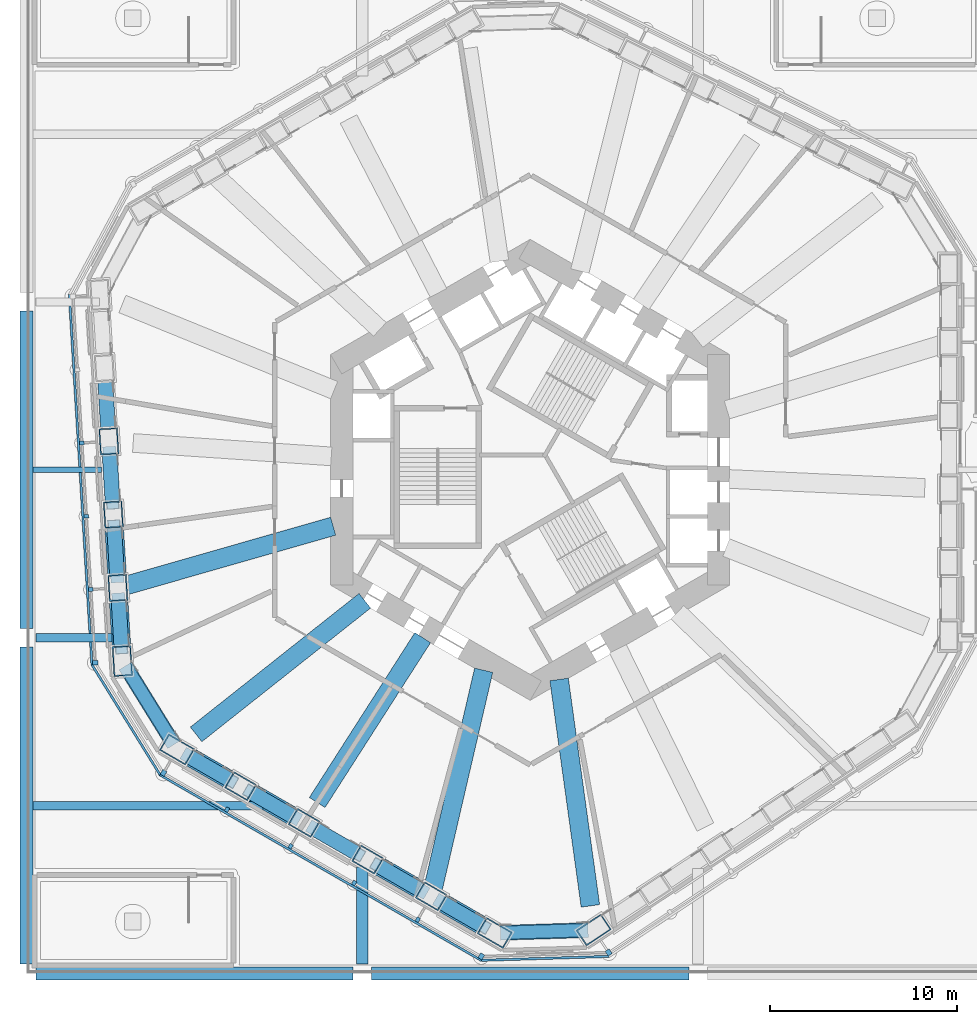
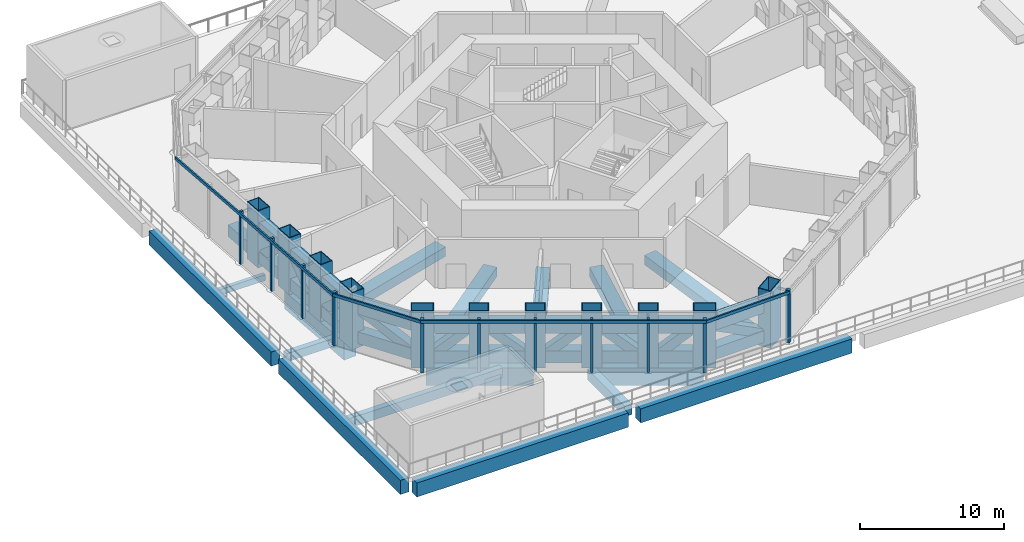
# One storey, part 1 of 20: 57 members, 16 beams, 5 elements without a shape of their own.
"""IFC4 building model written with IfcOpenShell, lengths in metres."""

import ifcopenshell
import ifcopenshell.guid

model = None  # the IFC model being written
_history = None  # IfcOwnerHistory: only IFC2X3 demands one
_inside = {}  # id of a spatial element -> (the spatial element, [elements in it])
_under = {}  # id of a project, library or spatial element -> (it, [spatial elements below it])
_declared = {}  # id of a project -> (the project, [libraries it declares])
_typed = {}  # id of a type object -> (the type object, [elements of that type])
_made_of = {}  # id of a material, layer set ... -> (it, [elements and type objects made of it])


def new_model(schema):
    """Start an empty IFC model of exactly this schema.

    Asked for "IFC4X3", IfcOpenShell would pick the latest addendum, in which some entities
    have other attributes; the version numbers below select the first issue.
    IFC2X3 requires an IfcOwnerHistory on every rooted entity: one is made here for all.
    """
    global model, _history
    if schema == "IFC4X3":
        model = ifcopenshell.file(schema_version=(4, 3, 0, 0))
    else:
        model = ifcopenshell.file(schema=schema)
    _inside.clear()
    _under.clear()
    _declared.clear()
    _typed.clear()
    _made_of.clear()
    _history = None
    if model.schema == "IFC2X3":
        org = make("IfcOrganization", Name="unknown")
        user = make(
            "IfcPersonAndOrganization",
            ThePerson=make("IfcPerson", FamilyName="unknown"),
            TheOrganization=org,
        )
        app = make(
            "IfcApplication",
            ApplicationDeveloper=org,
            Version="unknown",
            ApplicationFullName="unknown",
            ApplicationIdentifier="unknown",
        )
        _history = make(
            "IfcOwnerHistory",
            OwningUser=user,
            OwningApplication=app,
            ChangeAction="ADDED",
            CreationDate=0,
        )
    return model


def make(cls, **values):
    """One entity of the class cls with the attributes given. An attribute that is None is left unset."""
    return model.create_entity(
        cls, **{name: value for name, value in values.items() if value is not None}
    )


def rooted(cls, **values):
    """An entity with a GlobalId (a new one), such as an element, a storey or a relation."""
    return make(cls, GlobalId=ifcopenshell.guid.new(), OwnerHistory=_history, **values)


def si_unit(unit_type, name, prefix=None):
    """IfcSIUnit, for example si_unit("LENGTHUNIT", "METRE", prefix="MILLI")."""
    return make("IfcSIUnit", UnitType=unit_type, Prefix=prefix, Name=name)


def assignment(units):
    """IfcUnitAssignment: the units of a project."""
    return None if units is None else make("IfcUnitAssignment", Units=units)


def point(xyz):
    """IfcCartesianPoint."""
    return None if xyz is None else make("IfcCartesianPoint", Coordinates=xyz)


def direction(xyz):
    """IfcDirection."""
    return None if xyz is None else make("IfcDirection", DirectionRatios=xyz)


def frame(location, z_axis=None, x_axis=None):
    """IfcAxis2Placement3D, a coordinate frame: its origin and axes. An axis left out is left unset."""
    return make(
        "IfcAxis2Placement3D",
        Location=point(location),
        Axis=direction(z_axis),
        RefDirection=direction(x_axis),
    )


def frame_2d(location, x_axis=None):
    """IfcAxis2Placement2D, a coordinate frame in the plane: its origin and x axis."""
    return make(
        "IfcAxis2Placement2D", Location=point(location), RefDirection=direction(x_axis)
    )


def origin():
    """The frame at (0, 0, 0) with its axes left unset."""
    return frame((0.0, 0.0, 0.0))


def origin_2d():
    """The frame at (0, 0) in the plane with its x axis left unset."""
    return frame_2d((0.0, 0.0))


def place(relative_to, where):
    """IfcLocalPlacement: puts the frame where relative to a parent placement (None: the world)."""
    return make(
        "IfcLocalPlacement", PlacementRelTo=relative_to, RelativePlacement=where
    )


def context(
    kind, dimensions, precision=None, world=None, true_north=None, identifier=None
):
    """IfcGeometricRepresentationContext, for example the 3D "Model" context."""
    return make(
        "IfcGeometricRepresentationContext",
        ContextIdentifier=identifier,
        ContextType=kind,
        CoordinateSpaceDimension=dimensions,
        Precision=precision,
        WorldCoordinateSystem=world,
        TrueNorth=true_north,
    )


def subcontext(parent, identifier, kind, view, scale=None):
    """IfcGeometricRepresentationSubContext, for example "Body" below "Model"."""
    return make(
        "IfcGeometricRepresentationSubContext",
        ContextIdentifier=identifier,
        ContextType=kind,
        ParentContext=parent,
        TargetScale=scale,
        TargetView=view,
    )


def project(units=None, contexts=None):
    """IfcProject with its units and contexts."""
    return rooted(
        "IfcProject",
        Name="project",
        RepresentationContexts=contexts,
        UnitsInContext=assignment(units),
    )


def spatial(cls, under=None, at=None, **own):
    """A site, building, storey or space (cls), placed at a placement, below another one or the project."""
    s = rooted(cls, ObjectPlacement=at, **own)
    if under is not None:
        _under.setdefault(under.id(), (under, []))[1].append(s)
    return s


def profile(cls, at=None, kind="AREA", **sizes):
    """A parametric profile (cls). Its sizes go by their IFC names, for example OverallWidth=200.0."""
    return make(cls, ProfileType=kind, Position=at, **sizes)


def rectangle(**sizes):
    """IfcRectangleProfileDef."""
    return profile("IfcRectangleProfileDef", **sizes)


def hollow_rectangle(**sizes):
    """IfcRectangleHollowProfileDef."""
    return profile("IfcRectangleHollowProfileDef", **sizes)


def extrude(swept, where, along, depth):
    """IfcExtrudedAreaSolid: the profile swept, set in the frame where, extruded along a direction by depth."""
    return make(
        "IfcExtrudedAreaSolid",
        SweptArea=swept,
        Position=where,
        ExtrudedDirection=direction(along),
        Depth=depth,
    )


def shape(context_of_items, identifier, shape_type, items):
    """IfcShapeRepresentation: the items that make up one representation, for example the "Body"."""
    return make(
        "IfcShapeRepresentation",
        ContextOfItems=context_of_items,
        RepresentationIdentifier=identifier,
        RepresentationType=shape_type,
        Items=items,
    )


def material(Name=None, Category=None):
    """IfcMaterial."""
    return make("IfcMaterial", Name=Name, Category=Category)


def material_profile(
    of_material, cross_section, Name=None, Category=None, Priority=None
):
    """IfcMaterialProfile: a cross section and its material."""
    return make(
        "IfcMaterialProfile",
        Name=Name,
        Material=of_material,
        Profile=cross_section,
        Priority=Priority,
        Category=Category,
    )


def profile_set(profiles, Name=None, composite=None):
    """IfcMaterialProfileSet."""
    return make(
        "IfcMaterialProfileSet",
        Name=Name,
        MaterialProfiles=profiles,
        CompositeProfile=composite,
    )


def made_of(thing, what):
    """Note that an element or type object is made of a material, layer set ...; save() writes the relation."""
    if what is not None:
        _made_of.setdefault(what.id(), (what, []))[1].append(thing)
    return thing


def type_object(cls, material=None, **own):
    """A type object (cls), such as IfcWallType, which elements share."""
    return made_of(rooted(cls, **own), material)


def element(
    cls,
    number,
    at=None,
    inside=None,
    cuts=None,
    type_object=None,
    material=None,
    context=None,
    identifier="Body",
    shape_type=None,
    held_by="IfcProductDefinitionShape",
    body=None,
    shapes=None,
    **own,
):
    """One element of the class cls, such as IfcWall. Its Tag is "e" and its number.

    at: its placement. inside: the storey or other place that contains it. cuts: it is an
    opening in that element (IfcRelVoidsElement). A single representation is given by context,
    identifier, shape_type and body (its items); several are given by shapes. held_by: the class
    of the entity that holds the representations. save() writes the other relations.
    """
    e = rooted(cls, Tag="e%d" % number, ObjectPlacement=at, **own)
    if body is not None:
        shapes = [shape(context, identifier, shape_type, body)]
    if shapes is not None:
        e.Representation = make(held_by, Representations=shapes)
    if inside is not None:
        _inside.setdefault(inside.id(), (inside, []))[1].append(e)
    if cuts is not None:
        rooted(
            "IfcRelVoidsElement", RelatingBuildingElement=cuts, RelatedOpeningElement=e
        )
    if type_object is not None:
        _typed.setdefault(type_object.id(), (type_object, []))[1].append(e)
    return made_of(e, material)


def aggregate(whole, parts):
    """IfcRelAggregates: a whole, such as a stair, and the parts it consists of."""
    return rooted("IfcRelAggregates", RelatingObject=whole, RelatedObjects=parts)


def save(model, path):
    """Write the relations noted so far, then the file.

    IfcRelAggregates (storeys below a building ...), IfcRelContainedInSpatialStructure (elements
    in a storey), IfcRelDefinesByType, IfcRelAssociatesMaterial and IfcRelDeclares: one each for
    every whole, place, type object, material and project.
    """
    for whole, parts in _under.values():
        aggregate(whole, parts)
    for where, things in _inside.values():
        rooted(
            "IfcRelContainedInSpatialStructure",
            RelatedElements=things,
            RelatingStructure=where,
        )
    for kind, things in _typed.values():
        rooted("IfcRelDefinesByType", RelatedObjects=things, RelatingType=kind)
    for what, things in _made_of.values():
        rooted("IfcRelAssociatesMaterial", RelatedObjects=things, RelatingMaterial=what)
    for by, libraries in _declared.values():
        rooted("IfcRelDeclares", RelatingContext=by, RelatedDefinitions=libraries)
    model.write(path)


model = new_model("IFC4")

# Units and contexts
model_context = context("Model", 3, precision=1e-05, world=origin(), true_north=direction((0.0, 1.0)))
body_context = subcontext(model_context, "Body", "Model", "MODEL_VIEW")
ifc_project = project(units=[si_unit("LENGTHUNIT", "METRE"), si_unit("AREAUNIT", "SQUARE_METRE"), si_unit("VOLUMEUNIT", "CUBIC_METRE"), si_unit("PLANEANGLEUNIT", "RADIAN"), si_unit("MASSUNIT", "GRAM", prefix="KILO")], contexts=[model_context])

# Site, building, storey
site_placement = place(None, origin())
site = spatial("IfcSite", under=ifc_project, at=site_placement, CompositionType="ELEMENT")
building_placement = place(site_placement, origin())
building = spatial("IfcBuilding", under=site, at=building_placement, Name="Vanh Sen Convention Tower", CompositionType="ELEMENT")
storey_placement = place(building_placement, frame((0.0, 0.0, 34.5)))
storey = spatial("IfcBuildingStorey", under=building, at=storey_placement, Name="L05", CompositionType="ELEMENT", Elevation=34.5)

# Curtain wall, member
ifc_material_1 = material(Name="Concrete C50/60", Category="concrete")
curtain_wall_type = type_object("IfcCurtainWallType", Name="Outer skin hotel zone", PredefinedType="NOTDEFINED", material=ifc_material_1)
curtain_wall_1_placement = place(storey_placement, origin())
curtain_wall_1 = element("IfcCurtainWall", 1, at=curtain_wall_1_placement, inside=storey, type_object=curtain_wall_type, Name="OUTER SKIN W L05", PredefinedType="NOTDEFINED")
ifc_material_profile_1 = material_profile(ifc_material_1, rectangle(XDim=0.25, YDim=0.300048828125, at=origin_2d()), Name="Outer skin precast corner fin 250 x 300")
ifc_profile_set_1 = profile_set([ifc_material_profile_1], Name="Concrete C50/60")
member_type_1 = type_object("IfcMemberType", Name="Outer skin precast corner fin 250 x 300", PredefinedType="MULLION", material=ifc_profile_set_1)
member_1_placement = place(storey_placement, frame((-23.31201171875, -10.341796875, 0.0), z_axis=(0.0, 0.0, 1.0), x_axis=(0.061048539535, -0.998134798422, 0.0)))
member_1 = element("IfcMember", 2, at=member_1_placement, type_object=member_type_1, Name="OUTER SKIN CORNER FIN 6 W L05", PredefinedType="MULLION", context=body_context, shape_type="SweptSolid", body=[
    extrude(rectangle(XDim=0.25, YDim=0.300048828125, at=origin_2d()), origin(), (0.0, 0.0, 1.0), 4.5),
])

# Curtain wall, members
curtain_wall_2_placement = place(storey_placement, origin())
curtain_wall_2 = element("IfcCurtainWall", 3, at=curtain_wall_2_placement, inside=storey, type_object=curtain_wall_type, Name="OUTER SKIN SW L05", PredefinedType="NOTDEFINED")
member_2_placement = place(storey_placement, frame((-19.656982421875, -16.248291015625, 0.0), z_axis=(0.0, 0.0, 1.0), x_axis=(0.866025403784, -0.5, 0.0)))
member_2 = element("IfcMember", 4, at=member_2_placement, type_object=member_type_1, Name="OUTER SKIN CORNER FIN 1 SW L05", PredefinedType="MULLION", context=body_context, shape_type="SweptSolid", body=[
    extrude(rectangle(XDim=0.25, YDim=0.300048828125, at=origin_2d()), origin(), (0.0, 0.0, 1.0), 4.5),
])
member_3_placement = place(storey_placement, frame((-2.61962890625, -26.084716796875, 0.0), z_axis=(0.0, 0.0, 1.0), x_axis=(0.866025403784, -0.5, 0.0)))
member_3 = element("IfcMember", 5, at=member_3_placement, type_object=member_type_1, Name="OUTER SKIN CORNER FIN 6 SW L05", PredefinedType="MULLION", context=body_context, shape_type="SweptSolid", body=[
    extrude(rectangle(XDim=0.25, YDim=0.300048828125, at=origin_2d()), origin(), (0.0, 0.0, 1.0), 4.5),
])

# Curtain wall, member
curtain_wall_3_placement = place(storey_placement, origin())
curtain_wall_3 = element("IfcCurtainWall", 6, at=curtain_wall_3_placement, inside=storey, type_object=curtain_wall_type, Name="OUTER SKIN SE L05", PredefinedType="NOTDEFINED")
member_4_placement = place(storey_placement, frame((4.207275390625, -25.876220703125, 0.0), z_axis=(0.0, 0.0, 1.0), x_axis=(0.833885822067, 0.551936985312, 0.0)))
member_4 = element("IfcMember", 7, at=member_4_placement, type_object=member_type_1, Name="OUTER SKIN CORNER FIN 1 SE L05", PredefinedType="MULLION", context=body_context, shape_type="SweptSolid", body=[
    extrude(rectangle(XDim=0.25, YDim=0.300048828125, at=origin_2d()), origin(), (0.0, 0.0, 1.0), 4.5),
])
aggregate(curtain_wall_3, [member_4])

# Member
ifc_material_profile_2 = material_profile(ifc_material_1, rectangle(XDim=0.199951171875, YDim=0.25, at=origin_2d()), Name="Outer skin precast fin 200 x 250")
ifc_profile_set_2 = profile_set([ifc_material_profile_2], Name="Concrete C50/60")
member_type_2 = type_object("IfcMemberType", Name="Outer skin precast fin 200 x 250", PredefinedType="MULLION", material=ifc_profile_set_2)
member_5_placement = place(storey_placement, frame((-24.03271484375, 1.440185546875, 0.0), z_axis=(0.0, 0.0, 1.0), x_axis=(0.061048539535, -0.998134798422, 0.0)))
member_5 = element("IfcMember", 8, at=member_5_placement, type_object=member_type_2, Name="OUTER SKIN fin 3 W L05", PredefinedType="MULLION", context=body_context, shape_type="SweptSolid", body=[
    extrude(rectangle(XDim=0.199951171875, YDim=0.25, at=origin_2d()), origin(), (0.0, 0.0, 1.0), 4.5),
])

member_6_placement = place(storey_placement, frame((-23.79248046875, -2.4873046875, 0.0), z_axis=(0.0, 0.0, 1.0), x_axis=(0.061048539535, -0.998134798422, 0.0)))
member_6 = element("IfcMember", 9, at=member_6_placement, type_object=member_type_2, Name="OUTER SKIN fin 4 W L05", PredefinedType="MULLION", context=body_context, shape_type="SweptSolid", body=[
    extrude(rectangle(XDim=0.199951171875, YDim=0.25, at=origin_2d()), origin(), (0.0, 0.0, 1.0), 4.5),
])

member_7_placement = place(storey_placement, frame((-23.55224609375, -6.414306640625, 0.0), z_axis=(0.0, 0.0, 1.0), x_axis=(0.061048539535, -0.998134798422, 0.0)))
member_7 = element("IfcMember", 10, at=member_7_placement, type_object=member_type_2, Name="OUTER SKIN fin 5 W L05", PredefinedType="MULLION", context=body_context, shape_type="SweptSolid", body=[
    extrude(rectangle(XDim=0.199951171875, YDim=0.25, at=origin_2d()), origin(), (0.0, 0.0, 1.0), 4.5),
])

member_8_placement = place(storey_placement, frame((-16.24951171875, -18.2158203125, 0.0), z_axis=(0.0, 0.0, 1.0), x_axis=(0.866025403784, -0.5, 0.0)))
member_8 = element("IfcMember", 11, at=member_8_placement, type_object=member_type_2, Name="OUTER SKIN fin 2 SW L05", PredefinedType="MULLION", context=body_context, shape_type="SweptSolid", body=[
    extrude(rectangle(XDim=0.199951171875, YDim=0.25, at=origin_2d()), origin(), (0.0, 0.0, 1.0), 4.5),
])

member_9_placement = place(storey_placement, frame((-12.842041015625, -20.182861328125, 0.0), z_axis=(0.0, 0.0, 1.0), x_axis=(0.866025403784, -0.5, 0.0)))
member_9 = element("IfcMember", 12, at=member_9_placement, type_object=member_type_2, Name="OUTER SKIN fin 3 SW L05", PredefinedType="MULLION", context=body_context, shape_type="SweptSolid", body=[
    extrude(rectangle(XDim=0.199951171875, YDim=0.25, at=origin_2d()), origin(), (0.0, 0.0, 1.0), 4.5),
])

member_10_placement = place(storey_placement, frame((-9.4345703125, -22.150146484375, 0.0), z_axis=(0.0, 0.0, 1.0), x_axis=(0.866025403784, -0.5, 0.0)))
member_10 = element("IfcMember", 13, at=member_10_placement, type_object=member_type_2, Name="OUTER SKIN fin 4 SW L05", PredefinedType="MULLION", context=body_context, shape_type="SweptSolid", body=[
    extrude(rectangle(XDim=0.199951171875, YDim=0.25, at=origin_2d()), origin(), (0.0, 0.0, 1.0), 4.5),
])

member_11_placement = place(storey_placement, frame((-6.027099609375, -24.117431640625, 0.0), z_axis=(0.0, 0.0, 1.0), x_axis=(0.866025403784, -0.5, 0.0)))
member_11 = element("IfcMember", 14, at=member_11_placement, type_object=member_type_2, Name="OUTER SKIN fin 5 SW L05", PredefinedType="MULLION", context=body_context, shape_type="SweptSolid", body=[
    extrude(rectangle(XDim=0.199951171875, YDim=0.25, at=origin_2d()), origin(), (0.0, 0.0, 1.0), 4.5),
])

ifc_material_profile_3 = material_profile(ifc_material_1, rectangle(XDim=0.1201171875, YDim=0.25, at=origin_2d()), Name="Outer skin precast spandrel band 250 x 120")
ifc_profile_set_3 = profile_set([ifc_material_profile_3], Name="Concrete C50/60")
member_type_3 = type_object("IfcMemberType", Name="Outer skin precast spandrel band 250 x 120", PredefinedType="USERDEFINED", material=ifc_profile_set_3)
member_12_placement = place(storey_placement, frame((-24.705322265625, 9.408203125, 4.375), z_axis=(0.061050017989, -0.998134707995, 0.0), x_axis=(0.998134707995, 0.061050017989, 0.0)))
member_12 = element("IfcMember", 15, at=member_12_placement, type_object=member_type_3, Name="OUTER SKIN spandrel band W L05", ObjectType="TRANSOM", PredefinedType="USERDEFINED", context=body_context, shape_type="SweptSolid", body=[
    extrude(rectangle(XDim=0.1201171875, YDim=0.25, at=origin_2d()), origin(), (0.0, 0.0, 1.0), 19.923095703125),
])

aggregate(curtain_wall_1, [member_5, member_6, member_7, member_1, member_12])

# Curtain wall, member
curtain_wall_4_placement = place(storey_placement, origin())
curtain_wall_4 = element("IfcCurtainWall", 16, at=curtain_wall_4_placement, inside=storey, type_object=curtain_wall_type, Name="OUTER SKIN CH4 L05", PredefinedType="NOTDEFINED")
member_13_placement = place(storey_placement, frame((-23.49072265625, -10.4521484375, 4.375), z_axis=(0.526196095141, -0.850363257354, 0.0), x_axis=(0.850363257354, 0.526196095141, 0.0)))
member_13 = element("IfcMember", 17, at=member_13_placement, type_object=member_type_3, Name="OUTER SKIN spandrel band CH4 L05", ObjectType="TRANSOM", PredefinedType="USERDEFINED", context=body_context, shape_type="SweptSolid", body=[
    extrude(rectangle(XDim=0.1201171875, YDim=0.25, at=origin_2d()), origin(), (0.0, 0.0, 1.0), 6.946044921875),
])
aggregate(curtain_wall_4, [member_13])

# Member
member_14_placement = place(storey_placement, frame((-19.85791015625, -16.34619140625, 4.375), z_axis=(0.866028047459, -0.499995420993, 0.0), x_axis=(0.499995420993, 0.866028047459, 0.0)))
member_14 = element("IfcMember", 18, at=member_14_placement, type_object=member_type_3, Name="OUTER SKIN spandrel band SW L05", ObjectType="TRANSOM", PredefinedType="USERDEFINED", context=body_context, shape_type="SweptSolid", body=[
    extrude(rectangle(XDim=0.1201171875, YDim=0.25, at=origin_2d()), origin(), (0.0, 0.0, 1.0), 19.923095703125),
])

aggregate(curtain_wall_2, [member_2, member_8, member_9, member_10, member_11, member_3, member_14])

# Curtain wall, member
curtain_wall_5_placement = place(storey_placement, origin())
curtain_wall_5 = element("IfcCurtainWall", 19, at=curtain_wall_5_placement, inside=storey, type_object=curtain_wall_type, Name="OUTER SKIN CH5 L05", PredefinedType="NOTDEFINED")
member_15_placement = place(storey_placement, frame((-2.61328125, -26.294677734375, 4.375), z_axis=(0.99953396928, 0.030526124156, 0.0), x_axis=(-0.030526124156, 0.99953396928, 0.0)))
member_15 = element("IfcMember", 20, at=member_15_placement, type_object=member_type_3, Name="OUTER SKIN spandrel band CH5 L05", ObjectType="TRANSOM", PredefinedType="USERDEFINED", context=body_context, shape_type="SweptSolid", body=[
    extrude(rectangle(XDim=0.1201171875, YDim=0.25, at=origin_2d()), origin(), (0.0, 0.0, 1.0), 6.830078125),
])
aggregate(curtain_wall_5, [member_15])

# Beams
ifc_material_2 = material(Name="Concrete C50/60", Category="concrete")
ifc_material_profile_4 = material_profile(ifc_material_2, rectangle(XDim=0.449951171875, YDim=0.699951171875, at=origin_2d()), Name="RC 450X700")
ifc_profile_set_4 = profile_set([ifc_material_profile_4], Name="Concrete C50/60")
beam_type_1 = type_object("IfcBeamType", Name="Podium girder 450 x 700", PredefinedType="BEAM", material=ifc_profile_set_4)
beam_1_placement = place(storey_placement, frame((-26.5048828125, -9.0, -0.699951171875), z_axis=(1.0, 0.0, 0.0), x_axis=(0.0, 1.0, 0.0)))
element("IfcBeam", 21, at=beam_1_placement, inside=storey, type_object=beam_type_1, Name="Podium girder 18 L05", PredefinedType="BEAM", context=body_context, shape_type="SweptSolid", body=[
    extrude(rectangle(XDim=0.449951171875, YDim=0.699951171875, at=origin_2d()), origin(), (0.0, 0.0, 1.0), 4.081298828125),
])
ifc_material_profile_5 = material_profile(ifc_material_2, rectangle(XDim=0.60009765625, YDim=0.89990234375, at=origin_2d()), Name="RC 600X900")
ifc_profile_set_5 = profile_set([ifc_material_profile_5], Name="Concrete C50/60")
beam_type_2 = type_object("IfcBeamType", Name="Podium girder 600 x 900", PredefinedType="BEAM", material=ifc_profile_set_5)
beam_2_placement = place(storey_placement, frame((-9.0, -26.5048828125, -0.800048828125), z_axis=(0.0, 1.0, 0.0), x_axis=(-1.0, 0.0, 0.0)))
element("IfcBeam", 22, at=beam_2_placement, inside=storey, type_object=beam_type_2, Name="Podium girder 04 L05", PredefinedType="BEAM", context=body_context, shape_type="SweptSolid", body=[
    extrude(rectangle(XDim=0.60009765625, YDim=0.89990234375, at=origin_2d()), origin(), (0.0, 0.0, 1.0), 5.205810546875),
])
ifc_material_profile_6 = material_profile(ifc_material_2, rectangle(XDim=0.699951171875, YDim=1.199951171875, at=origin_2d()), Name="RC 700X1200")
ifc_profile_set_6 = profile_set([ifc_material_profile_6], Name="Concrete C50/60")
beam_type_3 = type_object("IfcBeamType", Name="Podium girder 700 x 1200", PredefinedType="BEAM", material=ifc_profile_set_6)
for number, where, z_axis, x_axis, name in (
    (23, (-27.0, -26.5048828125, -0.949951171875), (0.0, 1.0, 0.0), (-1.0, 0.0, 0.0), "Podium girder 01 L05"),
    (24, (-27.0, -8.5048828125, -0.949951171875), (0.0, 1.0, 0.0), (-1.0, 0.0, 0.0), "Podium girder 02 L05"),
    (25, (-26.5048828125, -27.0, -0.949951171875), (1.0, 0.0, 0.0), (0.0, 1.0, 0.0), "Podium girder 14 L05"),
    (26, (-8.5048828125, -27.0, -0.949951171875), (1.0, 0.0, 0.0), (0.0, 1.0, 0.0), "Podium girder 15 L05"),
):
    element("IfcBeam", number, at=place(storey_placement, frame(where, z_axis=z_axis, x_axis=x_axis)), inside=storey, type_object=beam_type_3, Name=name, PredefinedType="BEAM", context=body_context, shape_type="SweptSolid", body=[
        extrude(rectangle(XDim=0.699951171875, YDim=1.199951171875, at=origin_2d()), origin(), (0.0, 0.0, 1.0), 17.009765625),
    ])
ifc_material_profile_7 = material_profile(ifc_material_2, rectangle(XDim=1.0, YDim=1.5, at=origin_2d()), Name="RC 1000X1500")
ifc_profile_set_7 = profile_set([ifc_material_profile_7], Name="Concrete C50/60")
beam_type_4 = type_object("IfcBeamType", Name="Podium ring girder 1000 x 1500", PredefinedType="BEAM", material=ifc_profile_set_7)
for number, where, z_axis, x_axis, name in (
    (27, (-22.33740234375, -2.526123046875, -1.10009765625), (0.061031350148, -0.998135849621, 0.0), (0.998135849621, 0.061031350148, 0.0), "Ring girder 07 L05"),
    (28, (-18.726806640625, -15.111083984375, -1.10009765625), (0.866026307698, -0.499998434373, 0.0), (0.499998434373, 0.866026307698, 0.0), "Ring girder 08 L05"),
):
    element("IfcBeam", number, at=place(storey_placement, frame(where, z_axis=z_axis, x_axis=x_axis)), inside=storey, type_object=beam_type_4, Name=name, PredefinedType="BEAM", context=body_context, shape_type="SweptSolid", body=[
        extrude(rectangle(XDim=1.0, YDim=1.5, at=origin_2d()), origin(), (0.0, 0.0, 1.0), 7.50439453125),
    ])
beam_3_placement = place(storey_placement, frame((-8.59912109375, -20.958251953125, -1.10009765625), z_axis=(0.866020233978, -0.500008954261, 0.0), x_axis=(0.500008954261, 0.866020233978, 0.0)))
element("IfcBeam", 29, at=beam_3_placement, inside=storey, type_object=beam_type_4, Name="Ring girder 09 L05", PredefinedType="BEAM", context=body_context, shape_type="SweptSolid", body=[
    extrude(rectangle(XDim=1.0, YDim=1.5, at=origin_2d()), origin(), (0.0, 0.0, 1.0), 7.646728515625),
])
ifc_material_profile_8 = material_profile(ifc_material_2, rectangle(XDim=0.300048828125, YDim=0.5, at=origin_2d()), Name="RC 300X500")
ifc_profile_set_8 = profile_set([ifc_material_profile_8], Name="Concrete C50/60")
beam_type_5 = type_object("IfcBeamType", Name="Podium secondary beam 300 x 500", PredefinedType="BEAM", material=ifc_profile_set_8)
beam_4_placement = place(storey_placement, frame((-26.655029296875, 0.0, -0.60009765625), z_axis=(1.0, 0.0, 0.0), x_axis=(0.0, 1.0, 0.0)))
element("IfcBeam", 30, at=beam_4_placement, inside=storey, type_object=beam_type_5, Name="Podium secondary beam 04 L05", PredefinedType="BEAM", context=body_context, shape_type="SweptSolid", body=[
    extrude(rectangle(XDim=0.300048828125, YDim=0.5, at=origin_2d()), origin(), (0.0, 0.0, 1.0), 3.662109375),
])
ifc_material_profile_9 = material_profile(ifc_material_2, rectangle(XDim=0.449951171875, YDim=0.800048828125, at=origin_2d()), Name="RC 450X800")
ifc_profile_set_9 = profile_set([ifc_material_profile_9], Name="Concrete C50/60")
beam_type_6 = type_object("IfcBeamType", Name="Podium secondary beam 450 x 800", PredefinedType="BEAM", material=ifc_profile_set_9)
beam_5_placement = place(storey_placement, frame((-26.655029296875, -18.0, -0.75), z_axis=(1.0, 0.0, 0.0), x_axis=(0.0, 1.0, 0.0)))
element("IfcBeam", 31, at=beam_5_placement, inside=storey, type_object=beam_type_6, Name="Podium secondary beam 01 L05", PredefinedType="BEAM", context=body_context, shape_type="SweptSolid", body=[
    extrude(rectangle(XDim=0.449951171875, YDim=0.800048828125, at=origin_2d()), origin(), (0.0, 0.0, 1.0), 12.32666015625),
])
ifc_material_profile_10 = material_profile(ifc_material_2, rectangle(XDim=1.0, YDim=0.800048828125, at=origin_2d()), Name="RC 1000X800")
ifc_profile_set_10 = profile_set([ifc_material_profile_10], Name="Concrete C50/60")
beam_type_7 = type_object("IfcBeamType", Name="Radial floor beam 1000 x 800", PredefinedType="BEAM", material=ifc_profile_set_10)
beam_6_placement = place(storey_placement, frame((-21.723876953125, -6.216796875, -0.75), z_axis=(0.961405669021, 0.275134766203, 0.0), x_axis=(-0.275134766203, 0.961405669021, 0.0)))
element("IfcBeam", 32, at=beam_6_placement, inside=storey, type_object=beam_type_7, Name="Radial beam 12 L05", PredefinedType="BEAM", context=body_context, shape_type="SweptSolid", body=[
    extrude(rectangle(XDim=1.0, YDim=0.800048828125, at=origin_2d()), origin(), (0.0, 0.0, 1.0), 11.614501953125),
])
beam_7_placement = place(storey_placement, frame((-17.909912109375, -14.183349609375, -0.75), z_axis=(0.783941130439, 0.620835166535, 0.0), x_axis=(-0.620835166535, 0.783941130439, 0.0)))
element("IfcBeam", 33, at=beam_7_placement, inside=storey, type_object=beam_type_7, Name="Radial beam 13 L05", PredefinedType="BEAM", context=body_context, shape_type="SweptSolid", body=[
    extrude(rectangle(XDim=1.0, YDim=0.800048828125, at=origin_2d()), origin(), (0.0, 0.0, 1.0), 11.5390625),
])
beam_8_placement = place(storey_placement, frame((-11.418212890625, -17.83544921875, -0.75), z_axis=(0.539175162017, 0.842193650335, 0.0), x_axis=(-0.842193650335, 0.539175162017, 0.0)))
element("IfcBeam", 34, at=beam_8_placement, inside=storey, type_object=beam_type_7, Name="Radial beam 14 L05", PredefinedType="BEAM", context=body_context, shape_type="SweptSolid", body=[
    extrude(rectangle(XDim=1.0, YDim=0.800048828125, at=origin_2d()), origin(), (0.0, 0.0, 1.0), 10.494140625),
])
beam_9_placement = place(storey_placement, frame((-5.219482421875, -22.505859375, -0.75), z_axis=(0.225921069531, 0.974145610441, 0.0), x_axis=(-0.974145610441, 0.225921069531, 0.0)))
element("IfcBeam", 35, at=beam_9_placement, inside=storey, type_object=beam_type_7, Name="Radial beam 15 L05", PredefinedType="BEAM", context=body_context, shape_type="SweptSolid", body=[
    extrude(rectangle(XDim=1.0, YDim=0.800048828125, at=origin_2d()), origin(), (0.0, 0.0, 1.0), 12.0751953125),
])
beam_10_placement = place(storey_placement, frame((3.228759765625, -23.376953125, -0.75), z_axis=(-0.136812656494, 0.99059693974, 0.0), x_axis=(-0.99059693974, -0.136812656494, 0.0)))
element("IfcBeam", 36, at=beam_10_placement, inside=storey, type_object=beam_type_7, Name="Radial beam 16 L05", PredefinedType="BEAM", context=body_context, shape_type="SweptSolid", body=[
    extrude(rectangle(XDim=1.0, YDim=0.800048828125, at=origin_2d()), origin(), (0.0, 0.0, 1.0), 12.255859375),
])

# Members
ifc_material_3 = material(Name="Steel S460", Category="steel")
ifc_material_profile_11 = material_profile(ifc_material_3, hollow_rectangle(XDim=0.800048828125, YDim=1.0, WallThickness=0.06005859375, at=origin_2d()), Name="BOX 1000X800X60")
ifc_profile_set_11 = profile_set([ifc_material_profile_11], Name="Steel S460")
member_type_4 = type_object("IfcMemberType", Name="Transfer truss chord BOX 1000X800X60", PredefinedType="CHORD", material=ifc_profile_set_11)
member_16_placement = place(storey_placement, frame((-22.783203125, 4.76220703125, 0.5), z_axis=(0.061117866389, -0.998130555793, 0.0), x_axis=(0.998130555793, 0.061117866389, 0.0)))
element("IfcMember", 37, at=member_16_placement, inside=storey, type_object=member_type_4, Name="TRANSFER TRUSS chord bottom 20", PredefinedType="CHORD", context=body_context, shape_type="SweptSolid", body=[
    extrude(hollow_rectangle(XDim=0.800048828125, YDim=1.0, WallThickness=0.06005859375, at=origin_2d()), origin(), (0.0, 0.0, 1.0), 2.54443359375),
])
for number, where, z_axis, x_axis, name in (
    (38, (-22.54296875, 0.8349609375, 0.5), (0.061016434097, -0.998136761556, 0.0), (0.998136761556, 0.061016434097, 0.0), "TRANSFER TRUSS chord bottom 21"),
    (39, (-22.54296875, 0.8349609375, 3.0), (0.061016434097, -0.998136761556, 0.0), (0.998136761556, 0.061016434097, 0.0), "TRANSFER TRUSS chord top 21"),
):
    element("IfcMember", number, at=place(storey_placement, frame(where, z_axis=z_axis, x_axis=x_axis)), inside=storey, type_object=member_type_4, Name=name, PredefinedType="CHORD", context=body_context, shape_type="SweptSolid", body=[
        extrude(hollow_rectangle(XDim=0.800048828125, YDim=1.0, WallThickness=0.06005859375, at=origin_2d()), origin(), (0.0, 0.0, 1.0), 2.544677734375),
    ])
for number, where, z_axis, x_axis, name in (
    (40, (-22.302734375, -3.09228515625, 0.5), (0.061022277531, -0.998136404328, 0.0), (0.998136404328, 0.061022277531, 0.0), "TRANSFER TRUSS chord bottom 22"),
    (41, (-22.302734375, -3.09228515625, 3.0), (0.061022277531, -0.998136404328, 0.0), (0.998136404328, 0.061022277531, 0.0), "TRANSFER TRUSS chord top 22"),
):
    element("IfcMember", number, at=place(storey_placement, frame(where, z_axis=z_axis, x_axis=x_axis)), inside=storey, type_object=member_type_4, Name=name, PredefinedType="CHORD", context=body_context, shape_type="SweptSolid", body=[
        extrude(hollow_rectangle(XDim=0.800048828125, YDim=1.0, WallThickness=0.06005859375, at=origin_2d()), origin(), (0.0, 0.0, 1.0), 2.54443359375),
    ])
for number, where, z_axis, x_axis, name in (
    (42, (-22.0625, -7.01953125, 0.5), (0.061016663606, -0.998136747526, 0.0), (0.998136747526, 0.061016663606, 0.0), "TRANSFER TRUSS chord bottom 23"),
    (43, (-22.0625, -7.01953125, 3.0), (0.061016663606, -0.998136747526, 0.0), (0.998136747526, 0.061016663606, 0.0), "TRANSFER TRUSS chord top 23"),
):
    element("IfcMember", number, at=place(storey_placement, frame(where, z_axis=z_axis, x_axis=x_axis)), inside=storey, type_object=member_type_4, Name=name, PredefinedType="CHORD", context=body_context, shape_type="SweptSolid", body=[
        extrude(hollow_rectangle(XDim=0.800048828125, YDim=1.0, WallThickness=0.06005859375, at=origin_2d()), origin(), (0.0, 0.0, 1.0), 2.44482421875),
    ])
for number, where, z_axis, x_axis, name in (
    (44, (-21.703369140625, -10.51416015625, 0.5), (0.526210564698, -0.85035430357, 0.0), (0.85035430357, 0.526210564698, 0.0), "TRANSFER TRUSS chord bottom 24"),
    (45, (-21.703369140625, -10.51416015625, 3.0), (0.526210564698, -0.85035430357, 0.0), (0.85035430357, 0.526210564698, 0.0), "TRANSFER TRUSS chord top 24"),
):
    element("IfcMember", number, at=place(storey_placement, frame(where, z_axis=z_axis, x_axis=x_axis)), inside=storey, type_object=member_type_4, Name=name, PredefinedType="CHORD", context=body_context, shape_type="SweptSolid", body=[
        extrude(hollow_rectangle(XDim=0.800048828125, YDim=1.0, WallThickness=0.06005859375, at=origin_2d()), origin(), (0.0, 0.0, 1.0), 4.959716796875),
    ])
for number, where, z_axis, x_axis, name in (
    (46, (-18.243408203125, -15.39013671875, 0.5), (0.865990985969, -0.500059608667, 0.0), (0.500059608667, 0.865990985969, 0.0), "TRANSFER TRUSS chord bottom 25"),
    (47, (-18.243408203125, -15.39013671875, 3.0), (0.865990985969, -0.500059608667, 0.0), (0.500059608667, 0.865990985969, 0.0), "TRANSFER TRUSS chord top 25"),
):
    element("IfcMember", number, at=place(storey_placement, frame(where, z_axis=z_axis, x_axis=x_axis)), inside=storey, type_object=member_type_4, Name=name, PredefinedType="CHORD", context=body_context, shape_type="SweptSolid", body=[
        extrude(hollow_rectangle(XDim=0.800048828125, YDim=1.0, WallThickness=0.06005859375, at=origin_2d()), origin(), (0.0, 0.0, 1.0), 2.444580078125),
    ])
for number, where, z_axis, x_axis, name in (
    (48, (-14.922607421875, -17.3076171875, 0.5), (0.866073743188, -0.499916264349, 0.0), (0.499916264349, 0.866073743188, 0.0), "TRANSFER TRUSS chord bottom 26"),
    (49, (-14.922607421875, -17.3076171875, 3.0), (0.866073743188, -0.499916264349, 0.0), (0.499916264349, 0.866073743188, 0.0), "TRANSFER TRUSS chord top 26"),
):
    element("IfcMember", number, at=place(storey_placement, frame(where, z_axis=z_axis, x_axis=x_axis)), inside=storey, type_object=member_type_4, Name=name, PredefinedType="CHORD", context=body_context, shape_type="SweptSolid", body=[
        extrude(hollow_rectangle(XDim=0.800048828125, YDim=1.0, WallThickness=0.06005859375, at=origin_2d()), origin(), (0.0, 0.0, 1.0), 2.54443359375),
    ])
for number, where, z_axis, x_axis, name in (
    (50, (-11.51513671875, -19.274658203125, 0.5), (0.865990650555, -0.500060189529, 0.0), (0.500060189529, 0.865990650555, 0.0), "TRANSFER TRUSS chord bottom 27"),
    (51, (-11.51513671875, -19.274658203125, 3.0), (0.865990650555, -0.500060189529, 0.0), (0.500060189529, 0.865990650555, 0.0), "TRANSFER TRUSS chord top 27"),
    (52, (-8.107666015625, -21.241943359375, 0.5), (0.865990650555, -0.500060189529, 0.0), (0.500060189529, 0.865990650555, 0.0), "TRANSFER TRUSS chord bottom 28"),
    (53, (-8.107666015625, -21.241943359375, 3.0), (0.865990650555, -0.500060189529, 0.0), (0.500060189529, 0.865990650555, 0.0), "TRANSFER TRUSS chord top 28"),
):
    element("IfcMember", number, at=place(storey_placement, frame(where, z_axis=z_axis, x_axis=x_axis)), inside=storey, type_object=member_type_4, Name=name, PredefinedType="CHORD", context=body_context, shape_type="SweptSolid", body=[
        extrude(hollow_rectangle(XDim=0.800048828125, YDim=1.0, WallThickness=0.06005859375, at=origin_2d()), origin(), (0.0, 0.0, 1.0), 2.544677734375),
    ])
for number, where, z_axis, x_axis, name in (
    (54, (-4.7001953125, -23.209228515625, 0.5), (0.865990985969, -0.500059608667, 0.0), (0.500059608667, 0.865990985969, 0.0), "TRANSFER TRUSS chord bottom 29"),
    (55, (-4.7001953125, -23.209228515625, 3.0), (0.865990985969, -0.500059608667, 0.0), (0.500059608667, 0.865990985969, 0.0), "TRANSFER TRUSS chord top 29"),
):
    element("IfcMember", number, at=place(storey_placement, frame(where, z_axis=z_axis, x_axis=x_axis)), inside=storey, type_object=member_type_4, Name=name, PredefinedType="CHORD", context=body_context, shape_type="SweptSolid", body=[
        extrude(hollow_rectangle(XDim=0.800048828125, YDim=1.0, WallThickness=0.06005859375, at=origin_2d()), origin(), (0.0, 0.0, 1.0), 2.444580078125),
    ])
for number, where, z_axis, x_axis, name in (
    (56, (-1.59619140625, -24.820068359375, 0.5), (0.999533149281, 0.030552962008, 0.0), (-0.030552962008, 0.999533149281, 0.0), "TRANSFER TRUSS chord bottom 30"),
    (57, (-1.59619140625, -24.820068359375, 3.0), (0.999533149281, 0.030552962008, 0.0), (-0.030552962008, 0.999533149281, 0.0), "TRANSFER TRUSS chord top 30"),
):
    element("IfcMember", number, at=place(storey_placement, frame(where, z_axis=z_axis, x_axis=x_axis)), inside=storey, type_object=member_type_4, Name=name, PredefinedType="CHORD", context=body_context, shape_type="SweptSolid", body=[
        extrude(hollow_rectangle(XDim=0.800048828125, YDim=1.0, WallThickness=0.06005859375, at=origin_2d()), origin(), (0.0, 0.0, 1.0), 4.70654296875),
    ])
ifc_material_4 = material(Name="Steel S355", Category="steel")
ifc_material_profile_12 = material_profile(ifc_material_4, hollow_rectangle(XDim=0.699951171875, YDim=0.699951171875, WallThickness=0.050048828125, at=origin_2d()), Name="BOX 700X700X50")
ifc_profile_set_12 = profile_set([ifc_material_profile_12], Name="Steel S355")
member_type_5 = type_object("IfcMemberType", Name="Transfer truss diagonal BOX 700X700X50", PredefinedType="BRACE", material=ifc_profile_set_12)
for number, where, z_axis, x_axis, name in (
    (58, (-22.554443359375, 1.022216796875, 0.5), (0.046363801714, -0.758206938174, 0.650363465145), (0.998135610229, 0.061035265159, 0.0), "TRANSFER TRUSS diagonal 21"),
    (59, (-22.314208984375, -2.905029296875, 3.0), (0.046363801714, -0.758206938174, -0.650363465145), (0.998135610229, 0.061035265159, 0.0), "TRANSFER TRUSS diagonal 22"),
):
    element("IfcMember", number, at=place(storey_placement, frame(where, z_axis=z_axis, x_axis=x_axis)), inside=storey, type_object=member_type_5, Name=name, PredefinedType="BRACE", context=body_context, shape_type="SweptSolid", body=[
        extrude(hollow_rectangle(XDim=0.699951171875, YDim=0.699951171875, WallThickness=0.050048828125, at=origin_2d()), origin(), (0.0, 0.0, 1.0), 3.843994140625),
    ])
member_17_placement = place(storey_placement, frame((-22.073974609375, -6.832275390625, 0.5), z_axis=(0.045670017038, -0.746915314117, 0.663348899962), x_axis=(0.998135879701, 0.061030858212, 0.0)))
element("IfcMember", 60, at=member_17_placement, inside=storey, type_object=member_type_5, Name="TRANSFER TRUSS diagonal 23", PredefinedType="BRACE", context=body_context, shape_type="SweptSolid", body=[
    extrude(hollow_rectangle(XDim=0.699951171875, YDim=0.699951171875, WallThickness=0.050048828125, at=origin_2d()), origin(), (0.0, 0.0, 1.0), 3.768798828125),
])
member_18_placement = place(storey_placement, frame((-21.729736328125, -10.471435546875, 3.0), z_axis=(0.471754875499, -0.76239498264, -0.442946077857), x_axis=(0.85036692567, 0.526190166885, 0.0)))
element("IfcMember", 61, at=member_18_placement, inside=storey, type_object=member_type_5, Name="TRANSFER TRUSS diagonal 24", PredefinedType="BRACE", context=body_context, shape_type="SweptSolid", body=[
    extrude(hollow_rectangle(XDim=0.699951171875, YDim=0.699951171875, WallThickness=0.050048828125, at=origin_2d()), origin(), (0.0, 0.0, 1.0), 5.64404296875),
])
member_19_placement = place(storey_placement, frame((-18.406005859375, -15.29638671875, 0.5), z_axis=(0.648033109954, -0.374126882934, 0.663386888527), x_axis=(0.499984757355, 0.866034203951, 0.0)))
element("IfcMember", 62, at=member_19_placement, inside=storey, type_object=member_type_5, Name="TRANSFER TRUSS diagonal 25", PredefinedType="BRACE", context=body_context, shape_type="SweptSolid", body=[
    extrude(hollow_rectangle(XDim=0.699951171875, YDim=0.699951171875, WallThickness=0.050048828125, at=origin_2d()), origin(), (0.0, 0.0, 1.0), 3.7685546875),
])
for number, where, z_axis, x_axis, name in (
    (63, (-15.085205078125, -17.213623046875, 3.0), (0.657858126717, -0.379802239599, -0.650363701253), (0.49998782916, 0.866032430508, 0.0), "TRANSFER TRUSS diagonal 26"),
    (64, (-11.677734375, -19.180908203125, 0.5), (0.657858126717, -0.379802239599, 0.650363701253), (0.49998782916, 0.866032430508, 0.0), "TRANSFER TRUSS diagonal 27"),
    (65, (-8.270263671875, -21.148193359375, 3.0), (0.657858126717, -0.379802239599, -0.650363701253), (0.49998782916, 0.866032430508, 0.0), "TRANSFER TRUSS diagonal 28"),
):
    element("IfcMember", number, at=place(storey_placement, frame(where, z_axis=z_axis, x_axis=x_axis)), inside=storey, type_object=member_type_5, Name=name, PredefinedType="BRACE", context=body_context, shape_type="SweptSolid", body=[
        extrude(hollow_rectangle(XDim=0.699951171875, YDim=0.699951171875, WallThickness=0.050048828125, at=origin_2d()), origin(), (0.0, 0.0, 1.0), 3.843994140625),
    ])
member_20_placement = place(storey_placement, frame((-4.86279296875, -23.115478515625, 0.5), z_axis=(0.648033109954, -0.374126882934, 0.663386888527), x_axis=(0.499984757355, 0.866034203951, 0.0)))
element("IfcMember", 66, at=member_20_placement, inside=storey, type_object=member_type_5, Name="TRANSFER TRUSS diagonal 29", PredefinedType="BRACE", context=body_context, shape_type="SweptSolid", body=[
    extrude(hollow_rectangle(XDim=0.699951171875, YDim=0.699951171875, WallThickness=0.050048828125, at=origin_2d()), origin(), (0.0, 0.0, 1.0), 3.7685546875),
])
member_21_placement = place(storey_placement, frame((-1.66455078125, -24.822021484375, 3.0), z_axis=(0.888189557505, 0.027144226731, -0.458674722318), x_axis=(-0.030547037077, 0.999533330373, 0.0)))
element("IfcMember", 67, at=member_21_placement, inside=storey, type_object=member_type_5, Name="TRANSFER TRUSS diagonal 30", PredefinedType="BRACE", context=body_context, shape_type="SweptSolid", body=[
    extrude(hollow_rectangle(XDim=0.699951171875, YDim=0.699951171875, WallThickness=0.050048828125, at=origin_2d()), origin(), (0.0, 0.0, 1.0), 5.450439453125),
])
ifc_material_profile_13 = material_profile(ifc_material_3, hollow_rectangle(XDim=1.39990234375, YDim=1.0, WallThickness=0.06005859375, at=origin_2d()), Name="BOX 1000X1400X60")
ifc_profile_set_13 = profile_set([ifc_material_profile_13], Name="Steel S460")
member_type_6 = type_object("IfcMemberType", Name="Transfer truss post BOX 1000X1400X60", PredefinedType="POST", material=ifc_profile_set_13)
for number, where, z_axis, x_axis, name in (
    (68, (-22.58544921875, 1.528564453125, -0.35009765625), (0.0, 0.0, 1.0), (0.061048539535, -0.998134798422, 0.0), "TRANSFER TRUSS post 21"),
    (69, (-22.34521484375, -2.398681640625, -0.35009765625), (0.0, 0.0, 1.0), (0.061048539535, -0.998134798422, 0.0), "TRANSFER TRUSS post 22"),
    (70, (-22.10498046875, -6.325927734375, -0.35009765625), (0.0, 0.0, 1.0), (0.061048539535, -0.998134798422, 0.0), "TRANSFER TRUSS post 23"),
    (71, (-15.5244140625, -16.9599609375, -0.35009765625), (0.0, 0.0, 1.0), (0.866025403784, -0.5, 0.0), "TRANSFER TRUSS post 26"),
    (72, (-12.1171875, -18.92724609375, -0.35009765625), (0.0, 0.0, 1.0), (0.866025403784, -0.5, 0.0), "TRANSFER TRUSS post 27"),
    (73, (-8.709716796875, -20.89453125, -0.35009765625), (0.0, 0.0, 1.0), (0.866025403784, -0.5, 0.0), "TRANSFER TRUSS post 28"),
    (74, (-5.302001953125, -22.86181640625, -0.35009765625), (0.0, 0.0, 1.0), (0.866025403784, -0.5, 0.0), "TRANSFER TRUSS post 29"),
):
    element("IfcMember", number, at=place(storey_placement, frame(where, z_axis=z_axis, x_axis=x_axis)), inside=storey, type_object=member_type_6, Name=name, PredefinedType="POST", context=body_context, shape_type="SweptSolid", body=[
        extrude(hollow_rectangle(XDim=1.39990234375, YDim=1.0, WallThickness=0.06005859375, at=origin_2d()), origin(), (0.0, 0.0, 1.0), 4.85009765625),
    ])
ifc_material_profile_14 = material_profile(ifc_material_3, hollow_rectangle(XDim=1.60009765625, YDim=1.0, WallThickness=0.06005859375, at=origin_2d()), Name="BOX 1000X1600X60")
ifc_profile_set_14 = profile_set([ifc_material_profile_14], Name="Steel S460")
member_type_7 = type_object("IfcMemberType", Name="Transfer truss post BOX 1000X1600X60", PredefinedType="POST", material=ifc_profile_set_14)
for number, where, z_axis, x_axis, name in (
    (75, (-21.86474609375, -10.253173828125, -0.35009765625), (0.0, 0.0, 1.0), (0.061048539535, -0.998134798422, 0.0), "TRANSFER TRUSS post 24"),
    (76, (-18.931884765625, -14.99267578125, -0.35009765625), (0.0, 0.0, 1.0), (0.866025403784, -0.5, 0.0), "TRANSFER TRUSS post 25"),
    (77, (-1.894775390625, -24.8291015625, -0.35009765625), (0.0, 0.0, 1.0), (0.866025403784, -0.5, 0.0), "TRANSFER TRUSS post 30"),
    (78, (3.406982421875, -24.6669921875, -0.35009765625), (0.0, 0.0, 1.0), (0.833885822067, 0.551936985312, 0.0), "TRANSFER TRUSS post 31"),
):
    element("IfcMember", number, at=place(storey_placement, frame(where, z_axis=z_axis, x_axis=x_axis)), inside=storey, type_object=member_type_7, Name=name, PredefinedType="POST", context=body_context, shape_type="SweptSolid", body=[
        extrude(hollow_rectangle(XDim=1.60009765625, YDim=1.0, WallThickness=0.06005859375, at=origin_2d()), origin(), (0.0, 0.0, 1.0), 4.85009765625),
    ])

save(model, "model.ifc")
